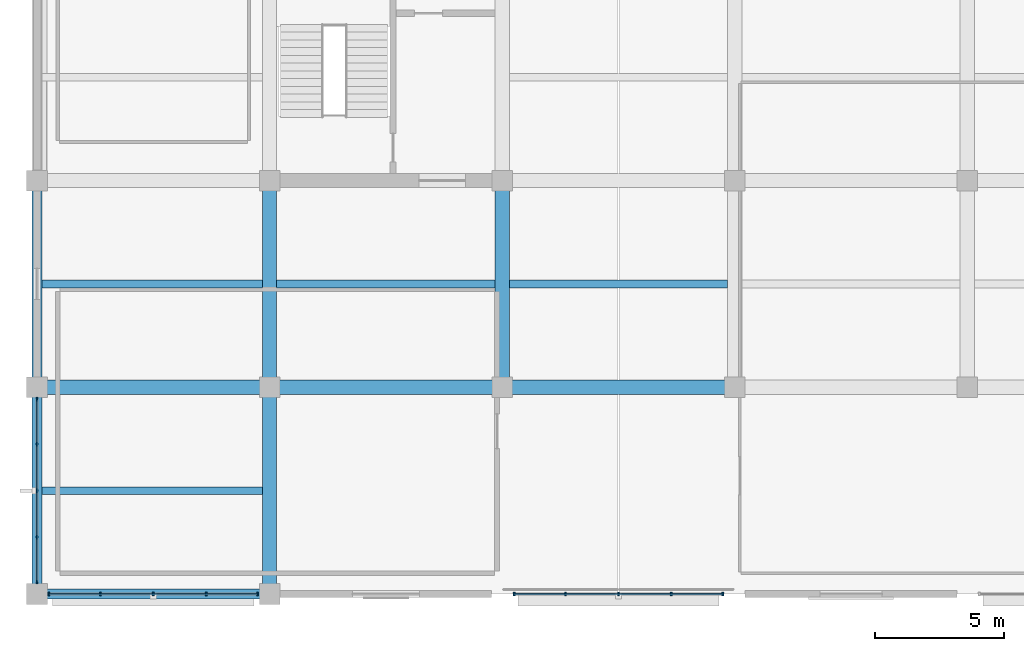
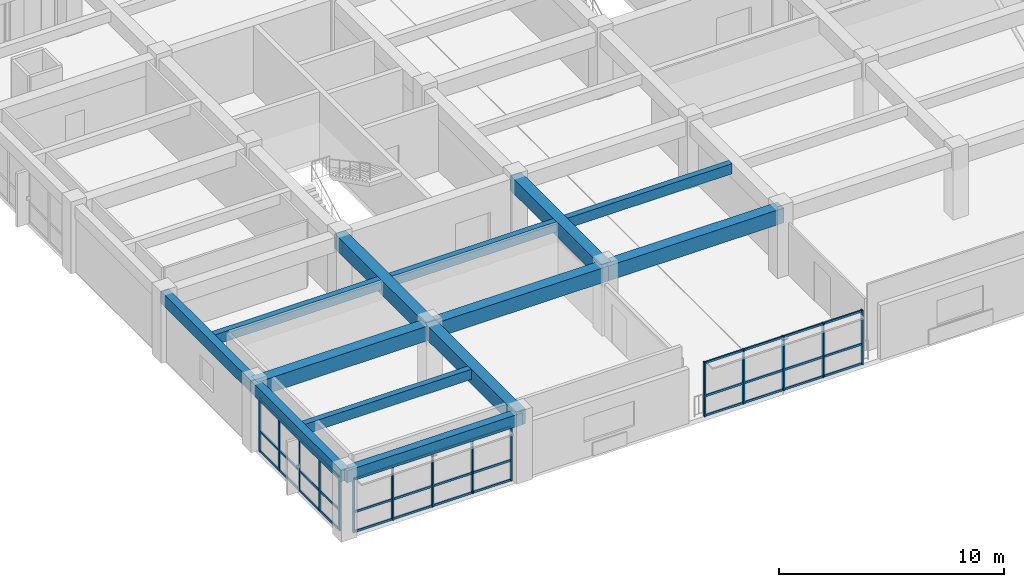
# One storey, part 2 of 16: 24 members, 13 beams, 3 elements without a shape of their own.
"""IFC4 building model written with IfcOpenShell, lengths in metres."""

from ifc_helpers import new_model, si_unit, direction, frame, origin, origin_2d, place, context, subcontext, project, spatial, rectangle, extrude, material, material_profile, profile_set, type_object, element, aggregate, save


model = new_model("IFC4")

# Units and contexts
model_context = context("Model", 3, precision=1e-05, world=origin(), true_north=direction((0.0, 1.0)))
body_context = subcontext(model_context, "Body", "Model", "MODEL_VIEW")
ifc_project = project(units=[si_unit("LENGTHUNIT", "METRE"), si_unit("AREAUNIT", "SQUARE_METRE"), si_unit("VOLUMEUNIT", "CUBIC_METRE"), si_unit("PLANEANGLEUNIT", "RADIAN"), si_unit("MASSUNIT", "GRAM", prefix="KILO")], contexts=[model_context])

# Site, building, storey
site_placement = place(None, origin())
site = spatial("IfcSite", under=ifc_project, at=site_placement, CompositionType="ELEMENT")
building_placement = place(site_placement, origin())
building = spatial("IfcBuilding", under=site, at=building_placement, Name="Zaverband Oceanarium and Marine Research Institute", CompositionType="ELEMENT")
storey_placement = place(building_placement, frame((0.0, 0.0, 41.39990234375)))
storey = spatial("IfcBuildingStorey", under=building, at=storey_placement, Name="L10", CompositionType="ELEMENT", Elevation=41.39990234375)

# Beams
ifc_material_1 = material(Name="Concrete C40/50", Category="concrete")
ifc_material_profile_1 = material_profile(ifc_material_1, rectangle(XDim=0.550048828125, YDim=0.800048828125, at=origin_2d()), Name="RC550x800")
ifc_profile_set_1 = profile_set([ifc_material_profile_1], Name="Concrete C40/50")
beam_type_1 = type_object("IfcBeamType", Name="BM-550x800", PredefinedType="BEAM", material=ifc_profile_set_1)
for number, where, z_axis, x_axis, name in (
    (1, (9.0, 72.0, 3.22021484375), (1.0, 0.0, 0.0), (0.0, 1.0, 0.0), "Primary floor girder BM-550x800"),
    (2, (18.0, 72.0, 3.22021484375), (1.0, 0.0, 0.0), (0.0, 1.0, 0.0), "Primary floor girder BM-550x800"),
    (3, (27.0, 72.0, 3.22021484375), (1.0, 0.0, 0.0), (0.0, 1.0, 0.0), "Primary floor girder BM-550x800"),
):
    element("IfcBeam", number, at=place(storey_placement, frame(where, z_axis=z_axis, x_axis=x_axis)), inside=storey, type_object=beam_type_1, Name=name, PredefinedType="BEAM", context=body_context, shape_type="SweptSolid", body=[
        extrude(rectangle(XDim=0.550048828125, YDim=0.800048828125, at=origin_2d()), origin(), (0.0, 0.0, 1.0), 9.0),
    ])
for number, where, z_axis, x_axis, name in (
    (4, (18.0, 64.0, 3.22021484375), (0.0, 1.0, 0.0), (-1.0, 0.0, 0.0), "Primary floor girder BM-550x800"),
    (5, (18.0, 72.0, 3.22021484375), (0.0, 1.0, 0.0), (-1.0, 0.0, 0.0), "Primary floor girder BM-550x800"),
    (6, (27.0, 72.0, 3.22021484375), (0.0, 1.0, 0.0), (-1.0, 0.0, 0.0), "Primary floor girder BM-550x800"),
):
    element("IfcBeam", number, at=place(storey_placement, frame(where, z_axis=z_axis, x_axis=x_axis)), inside=storey, type_object=beam_type_1, Name=name, PredefinedType="BEAM", context=body_context, shape_type="SweptSolid", body=[
        extrude(rectangle(XDim=0.550048828125, YDim=0.800048828125, at=origin_2d()), origin(), (0.0, 0.0, 1.0), 8.0),
    ])
ifc_material_profile_2 = material_profile(ifc_material_1, rectangle(XDim=0.300048828125, YDim=0.550048828125, at=origin_2d()), Name="RC300x550")
ifc_profile_set_2 = profile_set([ifc_material_profile_2], Name="Concrete C40/50")
beam_type_2 = type_object("IfcBeamType", Name="JST-300x550", PredefinedType="JOIST", material=ifc_profile_set_2)
for number, where, z_axis, x_axis, name in (
    (7, (9.199951171875, 68.0, 3.34521484375), (1.0, 0.0, 0.0), (0.0, 1.0, 0.0), "Secondary floor joist JST-300x550"),
    (8, (9.199951171875, 76.0, 3.34521484375), (1.0, 0.0, 0.0), (0.0, 1.0, 0.0), "Secondary floor joist JST-300x550"),
):
    element("IfcBeam", number, at=place(storey_placement, frame(where, z_axis=z_axis, x_axis=x_axis)), inside=storey, type_object=beam_type_2, Name=name, PredefinedType="JOIST", context=body_context, shape_type="SweptSolid", body=[
        extrude(rectangle(XDim=0.300048828125, YDim=0.550048828125, at=origin_2d()), origin(), (0.0, 0.0, 1.0), 8.525146484375),
    ])
for number, where, z_axis, x_axis, name in (
    (9, (18.27490234375, 76.0, 3.34521484375), (1.0, 0.0, 0.0), (0.0, 1.0, 0.0), "Secondary floor joist JST-300x550"),
    (10, (27.27490234375, 76.0, 3.34521484375), (1.0, 0.0, 0.0), (0.0, 1.0, 0.0), "Secondary floor joist JST-300x550"),
):
    element("IfcBeam", number, at=place(storey_placement, frame(where, z_axis=z_axis, x_axis=x_axis)), inside=storey, type_object=beam_type_2, Name=name, PredefinedType="JOIST", context=body_context, shape_type="SweptSolid", body=[
        extrude(rectangle(XDim=0.300048828125, YDim=0.550048828125, at=origin_2d()), origin(), (0.0, 0.0, 1.0), 8.4501953125),
    ])

# Curtain wall, members
ifc_material_2 = material(Name="Thermally broken anodized aluminium and solar-control glass", Category="aluminium")
curtain_wall_type = type_object("IfcCurtainWallType", Name="CW-UNIT-1800", PredefinedType="NOTDEFINED", material=ifc_material_2)
curtain_wall_1_placement = place(storey_placement, origin())
curtain_wall_1 = element("IfcCurtainWall", 11, at=curtain_wall_1_placement, inside=storey, type_object=curtain_wall_type, Name="Unitised glazed curtain wall CW-112", PredefinedType="NOTDEFINED")
ifc_material_3 = material(Name="Thermally broken anodized aluminium", Category="aluminium")
ifc_material_profile_3 = material_profile(ifc_material_3, rectangle(XDim=0.070068359375, YDim=0.14990234375, at=origin_2d()), Name="AL-MUL-70x150")
ifc_profile_set_3 = profile_set([ifc_material_profile_3], Name="Thermally broken anodized aluminium")
member_type_1 = type_object("IfcMemberType", Name="MUL-70x150", PredefinedType="MULLION", material=ifc_profile_set_3)
member_1_placement = place(storey_placement, frame((9.465087890625, 64.0, 0.0), z_axis=(0.0, 0.0, 1.0), x_axis=(1.0, 0.0, 0.0)))
member_1 = element("IfcMember", 12, at=member_1_placement, type_object=member_type_1, Name="Curtain wall vertical mullion MUL-70x150", PredefinedType="MULLION", context=body_context, shape_type="SweptSolid", body=[
    extrude(rectangle(XDim=0.070068359375, YDim=0.14990234375, at=origin_2d()), origin(), (0.0, 0.0, 1.0), 2.9501953125),
])
member_2_placement = place(storey_placement, frame((11.452392578125, 64.0, 0.0), z_axis=(0.0, 0.0, 1.0), x_axis=(1.0, 0.0, 0.0)))
member_2 = element("IfcMember", 13, at=member_2_placement, type_object=member_type_1, Name="Curtain wall vertical mullion MUL-70x150", PredefinedType="MULLION", context=body_context, shape_type="SweptSolid", body=[
    extrude(rectangle(XDim=0.070068359375, YDim=0.14990234375, at=origin_2d()), origin(), (0.0, 0.0, 1.0), 2.9501953125),
])
member_3_placement = place(storey_placement, frame((13.5, 64.0, 0.0), z_axis=(0.0, 0.0, 1.0), x_axis=(1.0, 0.0, 0.0)))
member_3 = element("IfcMember", 14, at=member_3_placement, type_object=member_type_1, Name="Curtain wall vertical mullion MUL-70x150", PredefinedType="MULLION", context=body_context, shape_type="SweptSolid", body=[
    extrude(rectangle(XDim=0.070068359375, YDim=0.14990234375, at=origin_2d()), origin(), (0.0, 0.0, 1.0), 2.9501953125),
])
member_4_placement = place(storey_placement, frame((15.547607421875, 64.0, 0.0), z_axis=(0.0, 0.0, 1.0), x_axis=(1.0, 0.0, 0.0)))
member_4 = element("IfcMember", 15, at=member_4_placement, type_object=member_type_1, Name="Curtain wall vertical mullion MUL-70x150", PredefinedType="MULLION", context=body_context, shape_type="SweptSolid", body=[
    extrude(rectangle(XDim=0.070068359375, YDim=0.14990234375, at=origin_2d()), origin(), (0.0, 0.0, 1.0), 2.9501953125),
])
member_5_placement = place(storey_placement, frame((17.534912109375, 64.0, 0.0), z_axis=(0.0, 0.0, 1.0), x_axis=(1.0, 0.0, 0.0)))
member_5 = element("IfcMember", 16, at=member_5_placement, type_object=member_type_1, Name="Curtain wall vertical mullion MUL-70x150", PredefinedType="MULLION", context=body_context, shape_type="SweptSolid", body=[
    extrude(rectangle(XDim=0.070068359375, YDim=0.14990234375, at=origin_2d()), origin(), (0.0, 0.0, 1.0), 2.9501953125),
])

curtain_wall_2_placement = place(storey_placement, origin())
curtain_wall_2 = element("IfcCurtainWall", 17, at=curtain_wall_2_placement, inside=storey, type_object=curtain_wall_type, Name="Unitised glazed curtain wall CW-113", PredefinedType="NOTDEFINED")
member_6_placement = place(storey_placement, frame((27.465087890625, 64.0, 0.0), z_axis=(0.0, 0.0, 1.0), x_axis=(1.0, 0.0, 0.0)))
member_6 = element("IfcMember", 18, at=member_6_placement, type_object=member_type_1, Name="Curtain wall vertical mullion MUL-70x150", PredefinedType="MULLION", context=body_context, shape_type="SweptSolid", body=[
    extrude(rectangle(XDim=0.070068359375, YDim=0.14990234375, at=origin_2d()), origin(), (0.0, 0.0, 1.0), 2.9501953125),
])
member_7_placement = place(storey_placement, frame((29.452392578125, 64.0, 0.0), z_axis=(0.0, 0.0, 1.0), x_axis=(1.0, 0.0, 0.0)))
member_7 = element("IfcMember", 19, at=member_7_placement, type_object=member_type_1, Name="Curtain wall vertical mullion MUL-70x150", PredefinedType="MULLION", context=body_context, shape_type="SweptSolid", body=[
    extrude(rectangle(XDim=0.070068359375, YDim=0.14990234375, at=origin_2d()), origin(), (0.0, 0.0, 1.0), 2.9501953125),
])
member_8_placement = place(storey_placement, frame((31.5, 64.0, 0.0), z_axis=(0.0, 0.0, 1.0), x_axis=(1.0, 0.0, 0.0)))
member_8 = element("IfcMember", 20, at=member_8_placement, type_object=member_type_1, Name="Curtain wall vertical mullion MUL-70x150", PredefinedType="MULLION", context=body_context, shape_type="SweptSolid", body=[
    extrude(rectangle(XDim=0.070068359375, YDim=0.14990234375, at=origin_2d()), origin(), (0.0, 0.0, 1.0), 2.9501953125),
])
member_9_placement = place(storey_placement, frame((33.547607421875, 64.0, 0.0), z_axis=(0.0, 0.0, 1.0), x_axis=(1.0, 0.0, 0.0)))
member_9 = element("IfcMember", 21, at=member_9_placement, type_object=member_type_1, Name="Curtain wall vertical mullion MUL-70x150", PredefinedType="MULLION", context=body_context, shape_type="SweptSolid", body=[
    extrude(rectangle(XDim=0.070068359375, YDim=0.14990234375, at=origin_2d()), origin(), (0.0, 0.0, 1.0), 2.9501953125),
])
member_10_placement = place(storey_placement, frame((35.534912109375, 64.0, 0.0), z_axis=(0.0, 0.0, 1.0), x_axis=(1.0, 0.0, 0.0)))
member_10 = element("IfcMember", 22, at=member_10_placement, type_object=member_type_1, Name="Curtain wall vertical mullion MUL-70x150", PredefinedType="MULLION", context=body_context, shape_type="SweptSolid", body=[
    extrude(rectangle(XDim=0.070068359375, YDim=0.14990234375, at=origin_2d()), origin(), (0.0, 0.0, 1.0), 2.9501953125),
])

curtain_wall_3_placement = place(storey_placement, origin())
curtain_wall_3 = element("IfcCurtainWall", 23, at=curtain_wall_3_placement, inside=storey, type_object=curtain_wall_type, Name="Unitised glazed curtain wall CW-118", PredefinedType="NOTDEFINED")
member_11_placement = place(storey_placement, frame((9.0, 64.465087890625, 0.0), z_axis=(0.0, 0.0, 1.0), x_axis=(1.0, 0.0, 0.0)))
member_11 = element("IfcMember", 24, at=member_11_placement, type_object=member_type_1, Name="Curtain wall vertical mullion MUL-70x150", PredefinedType="MULLION", context=body_context, shape_type="SweptSolid", body=[
    extrude(rectangle(XDim=0.070068359375, YDim=0.14990234375, at=origin_2d()), origin(), (0.0, 0.0, 1.0), 2.9501953125),
])
member_12_placement = place(storey_placement, frame((9.0, 66.202392578125, 0.0), z_axis=(0.0, 0.0, 1.0), x_axis=(1.0, 0.0, 0.0)))
member_12 = element("IfcMember", 25, at=member_12_placement, type_object=member_type_1, Name="Curtain wall vertical mullion MUL-70x150", PredefinedType="MULLION", context=body_context, shape_type="SweptSolid", body=[
    extrude(rectangle(XDim=0.070068359375, YDim=0.14990234375, at=origin_2d()), origin(), (0.0, 0.0, 1.0), 2.9501953125),
])
member_13_placement = place(storey_placement, frame((9.0, 68.0, 0.0), z_axis=(0.0, 0.0, 1.0), x_axis=(1.0, 0.0, 0.0)))
member_13 = element("IfcMember", 26, at=member_13_placement, type_object=member_type_1, Name="Curtain wall vertical mullion MUL-70x150", PredefinedType="MULLION", context=body_context, shape_type="SweptSolid", body=[
    extrude(rectangle(XDim=0.070068359375, YDim=0.14990234375, at=origin_2d()), origin(), (0.0, 0.0, 1.0), 2.9501953125),
])
member_14_placement = place(storey_placement, frame((9.0, 69.797607421875, 0.0), z_axis=(0.0, 0.0, 1.0), x_axis=(1.0, 0.0, 0.0)))
member_14 = element("IfcMember", 27, at=member_14_placement, type_object=member_type_1, Name="Curtain wall vertical mullion MUL-70x150", PredefinedType="MULLION", context=body_context, shape_type="SweptSolid", body=[
    extrude(rectangle(XDim=0.070068359375, YDim=0.14990234375, at=origin_2d()), origin(), (0.0, 0.0, 1.0), 2.9501953125),
])
member_15_placement = place(storey_placement, frame((9.0, 71.534912109375, 0.0), z_axis=(0.0, 0.0, 1.0), x_axis=(1.0, 0.0, 0.0)))
member_15 = element("IfcMember", 28, at=member_15_placement, type_object=member_type_1, Name="Curtain wall vertical mullion MUL-70x150", PredefinedType="MULLION", context=body_context, shape_type="SweptSolid", body=[
    extrude(rectangle(XDim=0.070068359375, YDim=0.14990234375, at=origin_2d()), origin(), (0.0, 0.0, 1.0), 2.9501953125),
])

# Beams
ifc_material_profile_4 = material_profile(ifc_material_1, rectangle(XDim=0.39990234375, YDim=0.64990234375, at=origin_2d()), Name="RC400x650")
ifc_profile_set_4 = profile_set([ifc_material_profile_4], Name="Concrete C40/50")
beam_type_3 = type_object("IfcBeamType", Name="SPN-400x650", PredefinedType="SPANDREL", material=ifc_profile_set_4)
beam_placement = place(storey_placement, frame((9.0, 64.0, 3.295166015625), z_axis=(1.0, 0.0, 0.0), x_axis=(0.0, 1.0, 0.0)))
element("IfcBeam", 29, at=beam_placement, inside=storey, type_object=beam_type_3, Name="Perimeter spandrel beam SPN-400x650", PredefinedType="SPANDREL", context=body_context, shape_type="SweptSolid", body=[
    extrude(rectangle(XDim=0.39990234375, YDim=0.64990234375, at=origin_2d()), origin(), (0.0, 0.0, 1.0), 9.0),
])
for number, where, z_axis, x_axis, name in (
    (30, (9.0, 64.0, 3.295166015625), (0.0, 1.0, 0.0), (-1.0, 0.0, 0.0), "Perimeter spandrel beam SPN-400x650"),
    (31, (9.0, 72.0, 3.295166015625), (0.0, 1.0, 0.0), (-1.0, 0.0, 0.0), "Perimeter spandrel beam SPN-400x650"),
):
    element("IfcBeam", number, at=place(storey_placement, frame(where, z_axis=z_axis, x_axis=x_axis)), inside=storey, type_object=beam_type_3, Name=name, PredefinedType="SPANDREL", context=body_context, shape_type="SweptSolid", body=[
        extrude(rectangle(XDim=0.39990234375, YDim=0.64990234375, at=origin_2d()), origin(), (0.0, 0.0, 1.0), 8.0),
    ])

# Member
ifc_material_profile_5 = material_profile(ifc_material_3, rectangle(XDim=0.070068359375, YDim=0.114990234375, at=origin_2d()), Name="AL-TRN-70x115")
ifc_profile_set_5 = profile_set([ifc_material_profile_5], Name="Thermally broken anodized aluminium")
member_type_2 = type_object("IfcMemberType", Name="TRN-70x115", PredefinedType="USERDEFINED", material=ifc_profile_set_5)
member_16_placement = place(storey_placement, frame((9.465087890625, 64.0, 0.050048828125), z_axis=(1.0, 0.0, 0.0), x_axis=(0.0, 1.0, 0.0)))
member_16 = element("IfcMember", 32, at=member_16_placement, type_object=member_type_2, Name="Curtain wall horizontal transom TRN-70x115", ObjectType="TRANSOM", PredefinedType="USERDEFINED", context=body_context, shape_type="SweptSolid", body=[
    extrude(rectangle(XDim=0.070068359375, YDim=0.114990234375, at=origin_2d()), origin(), (0.0, 0.0, 1.0), 8.06982421875),
])

member_17_placement = place(storey_placement, frame((9.465087890625, 64.0, 1.112060546875), z_axis=(1.0, 0.0, 0.0), x_axis=(0.0, 1.0, 0.0)))
member_17 = element("IfcMember", 33, at=member_17_placement, type_object=member_type_2, Name="Curtain wall horizontal transom TRN-70x115", ObjectType="TRANSOM", PredefinedType="USERDEFINED", context=body_context, shape_type="SweptSolid", body=[
    extrude(rectangle(XDim=0.070068359375, YDim=0.114990234375, at=origin_2d()), origin(), (0.0, 0.0, 1.0), 8.06982421875),
])

member_18_placement = place(storey_placement, frame((9.465087890625, 64.0, 2.900146484375), z_axis=(1.0, 0.0, 0.0), x_axis=(0.0, 1.0, 0.0)))
member_18 = element("IfcMember", 34, at=member_18_placement, type_object=member_type_2, Name="Curtain wall horizontal transom TRN-70x115", ObjectType="TRANSOM", PredefinedType="USERDEFINED", context=body_context, shape_type="SweptSolid", body=[
    extrude(rectangle(XDim=0.070068359375, YDim=0.114990234375, at=origin_2d()), origin(), (0.0, 0.0, 1.0), 8.06982421875),
])

aggregate(curtain_wall_1, [member_1, member_2, member_3, member_4, member_5, member_16, member_17, member_18])

member_19_placement = place(storey_placement, frame((27.465087890625, 64.0, 0.050048828125), z_axis=(1.0, 0.0, 0.0), x_axis=(0.0, 1.0, 0.0)))
member_19 = element("IfcMember", 35, at=member_19_placement, type_object=member_type_2, Name="Curtain wall horizontal transom TRN-70x115", ObjectType="TRANSOM", PredefinedType="USERDEFINED", context=body_context, shape_type="SweptSolid", body=[
    extrude(rectangle(XDim=0.070068359375, YDim=0.114990234375, at=origin_2d()), origin(), (0.0, 0.0, 1.0), 8.06982421875),
])

member_20_placement = place(storey_placement, frame((27.465087890625, 64.0, 1.112060546875), z_axis=(1.0, 0.0, 0.0), x_axis=(0.0, 1.0, 0.0)))
member_20 = element("IfcMember", 36, at=member_20_placement, type_object=member_type_2, Name="Curtain wall horizontal transom TRN-70x115", ObjectType="TRANSOM", PredefinedType="USERDEFINED", context=body_context, shape_type="SweptSolid", body=[
    extrude(rectangle(XDim=0.070068359375, YDim=0.114990234375, at=origin_2d()), origin(), (0.0, 0.0, 1.0), 8.06982421875),
])

member_21_placement = place(storey_placement, frame((27.465087890625, 64.0, 2.900146484375), z_axis=(1.0, 0.0, 0.0), x_axis=(0.0, 1.0, 0.0)))
member_21 = element("IfcMember", 37, at=member_21_placement, type_object=member_type_2, Name="Curtain wall horizontal transom TRN-70x115", ObjectType="TRANSOM", PredefinedType="USERDEFINED", context=body_context, shape_type="SweptSolid", body=[
    extrude(rectangle(XDim=0.070068359375, YDim=0.114990234375, at=origin_2d()), origin(), (0.0, 0.0, 1.0), 8.06982421875),
])

aggregate(curtain_wall_2, [member_6, member_7, member_8, member_9, member_10, member_19, member_20, member_21])

member_22_placement = place(storey_placement, frame((9.0, 64.465087890625, 0.050048828125), z_axis=(0.0, 1.0, 0.0), x_axis=(-1.0, 0.0, 0.0)))
member_22 = element("IfcMember", 38, at=member_22_placement, type_object=member_type_2, Name="Curtain wall horizontal transom TRN-70x115", ObjectType="TRANSOM", PredefinedType="USERDEFINED", context=body_context, shape_type="SweptSolid", body=[
    extrude(rectangle(XDim=0.070068359375, YDim=0.114990234375, at=origin_2d()), origin(), (0.0, 0.0, 1.0), 7.06982421875),
])

member_23_placement = place(storey_placement, frame((9.0, 64.465087890625, 1.112060546875), z_axis=(0.0, 1.0, 0.0), x_axis=(-1.0, 0.0, 0.0)))
member_23 = element("IfcMember", 39, at=member_23_placement, type_object=member_type_2, Name="Curtain wall horizontal transom TRN-70x115", ObjectType="TRANSOM", PredefinedType="USERDEFINED", context=body_context, shape_type="SweptSolid", body=[
    extrude(rectangle(XDim=0.070068359375, YDim=0.114990234375, at=origin_2d()), origin(), (0.0, 0.0, 1.0), 7.06982421875),
])

member_24_placement = place(storey_placement, frame((9.0, 64.465087890625, 2.900146484375), z_axis=(0.0, 1.0, 0.0), x_axis=(-1.0, 0.0, 0.0)))
member_24 = element("IfcMember", 40, at=member_24_placement, type_object=member_type_2, Name="Curtain wall horizontal transom TRN-70x115", ObjectType="TRANSOM", PredefinedType="USERDEFINED", context=body_context, shape_type="SweptSolid", body=[
    extrude(rectangle(XDim=0.070068359375, YDim=0.114990234375, at=origin_2d()), origin(), (0.0, 0.0, 1.0), 7.06982421875),
])

aggregate(curtain_wall_3, [member_11, member_12, member_13, member_14, member_15, member_22, member_23, member_24])

save(model, "model.ifc")
